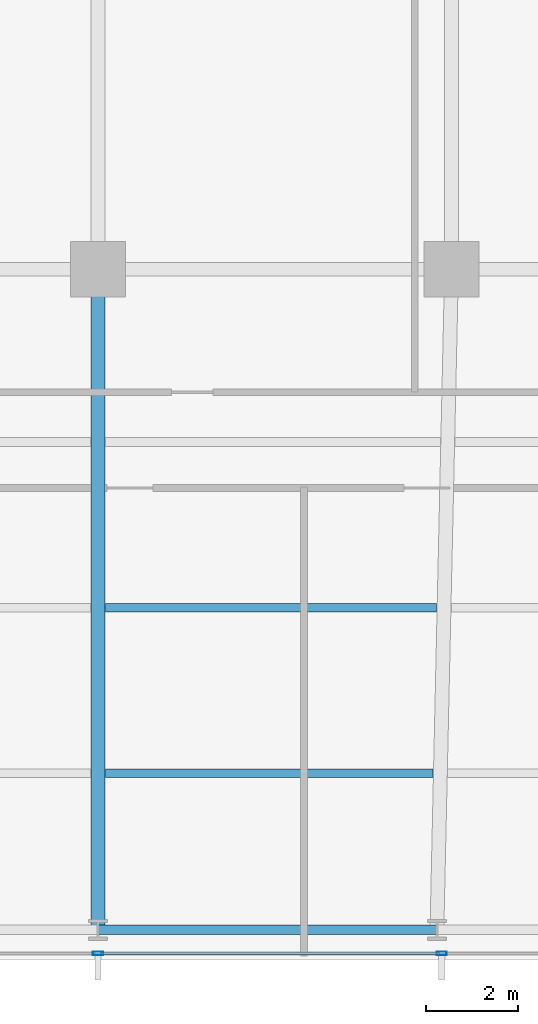
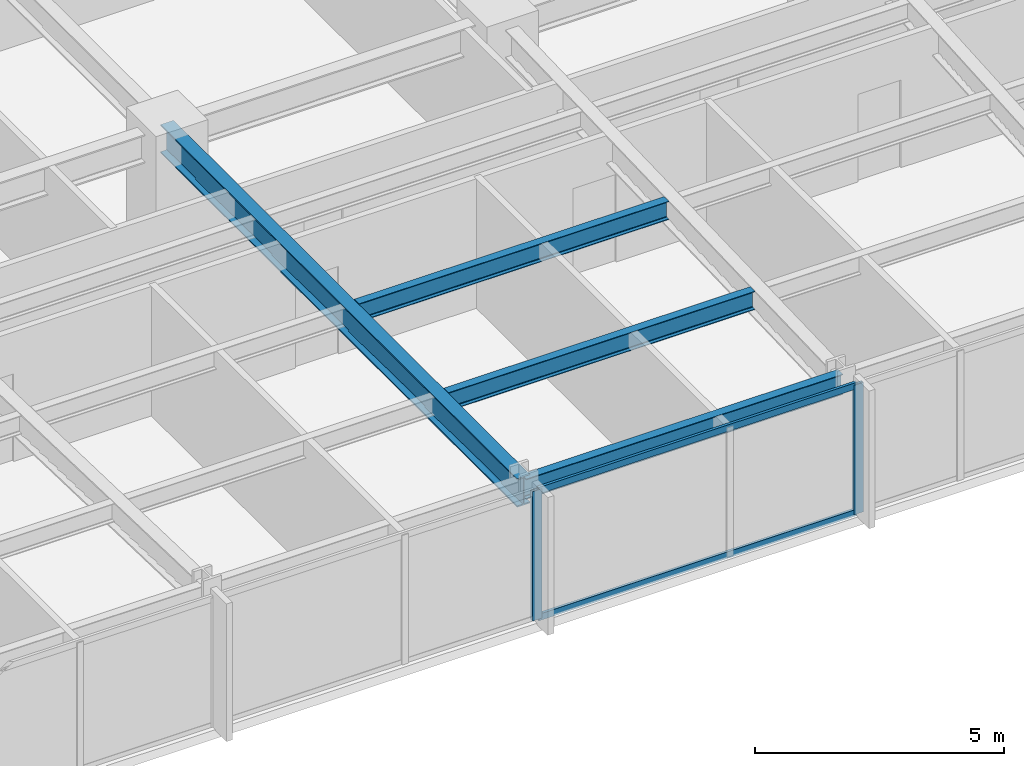
# One storey, part 11 of 33: 4 beams, 4 members, 1 element without a shape of its own.
"""IFC4 building model written with IfcOpenShell, lengths in metres."""

from ifc_helpers import new_model, si_unit, direction, frame, origin, origin_2d, place, context, subcontext, project, spatial, hollow_rectangle, i_section, extrude, material, material_profile, profile_set, type_object, element, aggregate, save


model = new_model("IFC4")

# Units and contexts
model_context = context("Model", 3, precision=1e-05, world=origin(), true_north=direction((0.0, 1.0)))
body_context = subcontext(model_context, "Body", "Model", "MODEL_VIEW")
ifc_project = project(units=[si_unit("LENGTHUNIT", "METRE"), si_unit("AREAUNIT", "SQUARE_METRE"), si_unit("VOLUMEUNIT", "CUBIC_METRE"), si_unit("PLANEANGLEUNIT", "RADIAN"), si_unit("MASSUNIT", "GRAM", prefix="KILO")], contexts=[model_context])

# Site, building, storey
site_placement = place(None, origin())
site = spatial("IfcSite", under=ifc_project, at=site_placement, CompositionType="ELEMENT")
building_placement = place(site_placement, origin())
building = spatial("IfcBuilding", under=site, at=building_placement, Name="Yelkora Congress Tower", CompositionType="ELEMENT")
storey_placement = place(building_placement, frame((0.0, 0.0, 71.199951171875)))
storey = spatial("IfcBuildingStorey", under=building, at=storey_placement, Name="L18", CompositionType="ELEMENT", Elevation=71.199951171875)

# Beams
ifc_material_1 = material(Name="Steel S355J2", Category="steel")
ifc_material_profile_1 = material_profile(ifc_material_1, i_section(OverallWidth=0.300048828125, OverallDepth=0.699951171875, WebThickness=0.01708984375, FlangeThickness=0.031982421875, FilletRadius=0.027099609375, at=origin_2d()), Name="HEB 700")
ifc_profile_set_1 = profile_set([ifc_material_profile_1], Name="Steel S355J2")
beam_type_1 = type_object("IfcBeamType", Name="BM-GIRD-HEB700", PredefinedType="BEAM", material=ifc_profile_set_1)
beam_1_placement = place(storey_placement, frame((38.39990234375, 10.85009765625, 2.830078125), z_axis=(0.0, 1.0, 0.0), x_axis=(-1.0, 0.0, 0.0)))
element("IfcBeam", 1, at=beam_1_placement, inside=storey, type_object=beam_type_1, Name="L18 Primary Frame Girder S05", PredefinedType="BEAM", context=body_context, shape_type="SweptSolid", body=[
    extrude(i_section(OverallWidth=0.300048828125, OverallDepth=0.699951171875, WebThickness=0.01708984375, FlangeThickness=0.031982421875, FilletRadius=0.027099609375, at=origin_2d()), origin(), (0.0, 0.0, 1.0), 14.349853515625),
])
ifc_material_profile_2 = material_profile(ifc_material_1, i_section(OverallWidth=0.18994140625, OverallDepth=0.449951171875, WebThickness=0.009521484375, FlangeThickness=0.0146484375, FilletRadius=0.02099609375, at=origin_2d()), Name="IPE 450")
ifc_profile_set_2 = profile_set([ifc_material_profile_2], Name="Steel S355J2")
beam_type_2 = type_object("IfcBeamType", Name="BM-JOIST-IPE450", PredefinedType="JOIST", material=ifc_profile_set_2)
beam_2_placement = place(storey_placement, frame((38.56005859375, 14.25, 2.955078125), z_axis=(1.0, 0.0, 0.0), x_axis=(0.0, 1.0, 0.0)))
element("IfcBeam", 2, at=beam_2_placement, inside=storey, type_object=beam_type_2, Name="L18 Composite Floor Joist 5", PredefinedType="JOIST", context=body_context, shape_type="SweptSolid", body=[
    extrude(i_section(OverallWidth=0.18994140625, OverallDepth=0.449951171875, WebThickness=0.009521484375, FlangeThickness=0.0146484375, FilletRadius=0.02099609375, at=origin_2d()), origin(), (0.0, 0.0, 1.0), 7.11767578125),
])
beam_3_placement = place(storey_placement, frame((38.56005859375, 17.85009765625, 2.955078125), z_axis=(1.0, 0.0, 0.0), x_axis=(0.0, 1.0, 0.0)))
element("IfcBeam", 3, at=beam_3_placement, inside=storey, type_object=beam_type_2, Name="L18 Composite Floor Joist 13", PredefinedType="JOIST", context=body_context, shape_type="SweptSolid", body=[
    extrude(i_section(OverallWidth=0.18994140625, OverallDepth=0.449951171875, WebThickness=0.009521484375, FlangeThickness=0.0146484375, FilletRadius=0.02099609375, at=origin_2d()), origin(), (0.0, 0.0, 1.0), 7.197265625),
])
ifc_material_profile_3 = material_profile(ifc_material_1, i_section(OverallWidth=0.199951171875, OverallDepth=0.5, WebThickness=0.01025390625, FlangeThickness=0.01611328125, FilletRadius=0.02099609375, at=origin_2d()), Name="IPE 500")
ifc_profile_set_3 = profile_set([ifc_material_profile_3], Name="Steel S355J2")
beam_type_3 = type_object("IfcBeamType", Name="BM-SPAN-IPE500", PredefinedType="SPANDREL", material=ifc_profile_set_3)
beam_4_placement = place(storey_placement, frame((38.39990234375, 10.85009765625, 2.929931640625), z_axis=(1.0, 0.0, 0.0), x_axis=(0.0, 1.0, 0.0)))
element("IfcBeam", 4, at=beam_4_placement, inside=storey, type_object=beam_type_3, Name="L18 Perimeter Beam 6", PredefinedType="SPANDREL", context=body_context, shape_type="SweptSolid", body=[
    extrude(i_section(OverallWidth=0.199951171875, OverallDepth=0.5, WebThickness=0.01025390625, FlangeThickness=0.01611328125, FilletRadius=0.02099609375, at=origin_2d()), origin(), (0.0, 0.0, 1.0), 7.362548828125),
])

# Curtain wall, members
ifc_material_2 = material(Name="Anodised aluminium and insulated glass", Category="aluminium")
curtain_wall_type = type_object("IfcCurtainWallType", Name="CW-SYS-B1", PredefinedType="NOTDEFINED", material=ifc_material_2)
curtain_wall_placement = place(storey_placement, origin())
curtain_wall = element("IfcCurtainWall", 5, at=curtain_wall_placement, inside=storey, type_object=curtain_wall_type, Name="L18 Unitised Curtain Wall 20", PredefinedType="NOTDEFINED")
ifc_material_3 = material(Name="Anodised aluminium 6063-T6", Category="aluminium")
ifc_material_profile_4 = material_profile(ifc_material_3, hollow_rectangle(XDim=0.074951171875, YDim=0.219970703125, WallThickness=0.0048828125, at=origin_2d()), Name="ALU 75x220x5")
ifc_profile_set_4 = profile_set([ifc_material_profile_4], Name="Anodised aluminium 6063-T6")
member_type_1 = type_object("IfcMemberType", Name="MEM-ML-B1", PredefinedType="MULLION", material=ifc_profile_set_4)
member_1_placement = place(storey_placement, frame((45.864990234375, 10.340087890625, 0.0), z_axis=(0.0, 0.0, 1.0), x_axis=(0.0, -1.0, 0.0)))
member_1 = element("IfcMember", 6, at=member_1_placement, type_object=member_type_1, Name="CW-B1 mullion 4", PredefinedType="MULLION", context=body_context, shape_type="SweptSolid", body=[
    extrude(hollow_rectangle(XDim=0.074951171875, YDim=0.219970703125, WallThickness=0.0048828125, at=origin_2d()), origin(), (0.0, 0.0, 1.0), 3.179931640625),
])
member_2_placement = place(storey_placement, frame((38.39990234375, 10.340087890625, 0.0), z_axis=(0.0, 0.0, 1.0), x_axis=(0.0, -1.0, 0.0)))
member_2 = element("IfcMember", 7, at=member_2_placement, type_object=member_type_1, Name="CW-B1 mullion 5", PredefinedType="MULLION", context=body_context, shape_type="SweptSolid", body=[
    extrude(hollow_rectangle(XDim=0.074951171875, YDim=0.219970703125, WallThickness=0.0048828125, at=origin_2d()), origin(), (0.0, 0.0, 1.0), 3.179931640625),
])
ifc_material_profile_5 = material_profile(ifc_material_3, hollow_rectangle(XDim=0.06494140625, YDim=0.159912109375, WallThickness=0.00390625, at=origin_2d()), Name="ALU 65x160x4")
ifc_profile_set_5 = profile_set([ifc_material_profile_5], Name="Anodised aluminium 6063-T6")
member_type_2 = type_object("IfcMemberType", Name="MEM-TR-B1", PredefinedType="USERDEFINED", material=ifc_profile_set_5)
member_3_placement = place(storey_placement, frame((45.827392578125, 10.340087890625, 0.032470703125), z_axis=(-1.0, 0.0, 0.0), x_axis=(0.0, -1.0, 0.0)))
member_3 = element("IfcMember", 8, at=member_3_placement, type_object=member_type_2, Name="CW-B1 transom 4.1", ObjectType="TRANSOM", PredefinedType="USERDEFINED", context=body_context, shape_type="SweptSolid", body=[
    extrude(hollow_rectangle(XDim=0.06494140625, YDim=0.159912109375, WallThickness=0.00390625, at=origin_2d()), origin(), (0.0, 0.0, 1.0), 7.389892578125),
])
member_4_placement = place(storey_placement, frame((45.827392578125, 10.340087890625, 3.1474609375), z_axis=(-1.0, 0.0, 0.0), x_axis=(0.0, -1.0, 0.0)))
member_4 = element("IfcMember", 9, at=member_4_placement, type_object=member_type_2, Name="CW-B1 transom 4.2", ObjectType="TRANSOM", PredefinedType="USERDEFINED", context=body_context, shape_type="SweptSolid", body=[
    extrude(hollow_rectangle(XDim=0.06494140625, YDim=0.159912109375, WallThickness=0.00390625, at=origin_2d()), origin(), (0.0, 0.0, 1.0), 7.389892578125),
])
aggregate(curtain_wall, [member_1, member_2, member_3, member_4])

save(model, "model.ifc")
